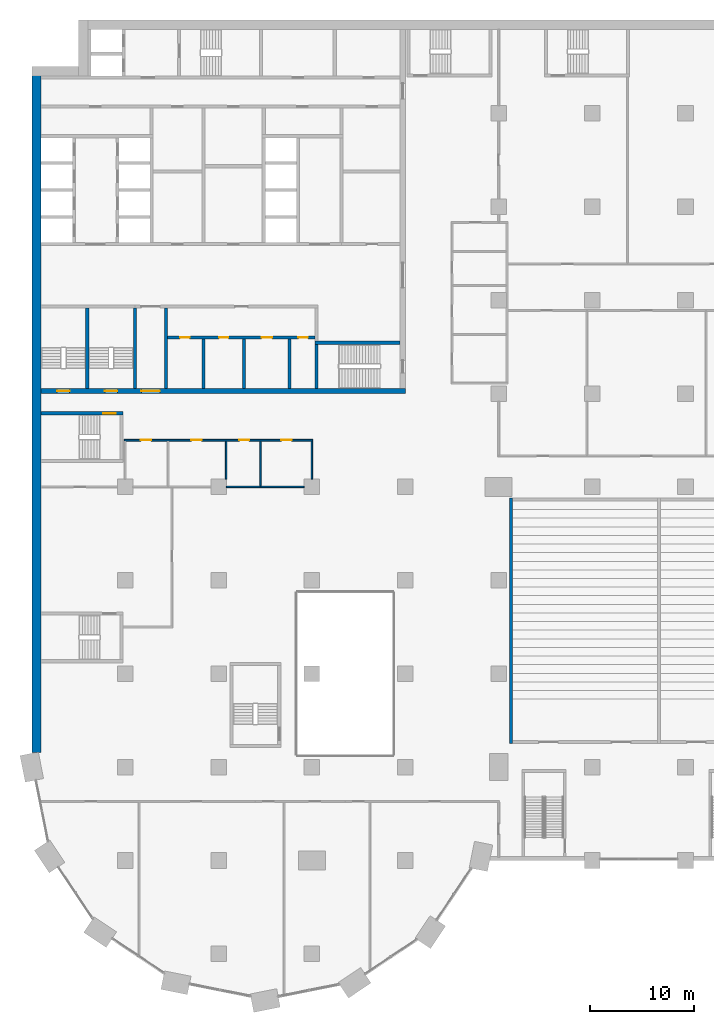
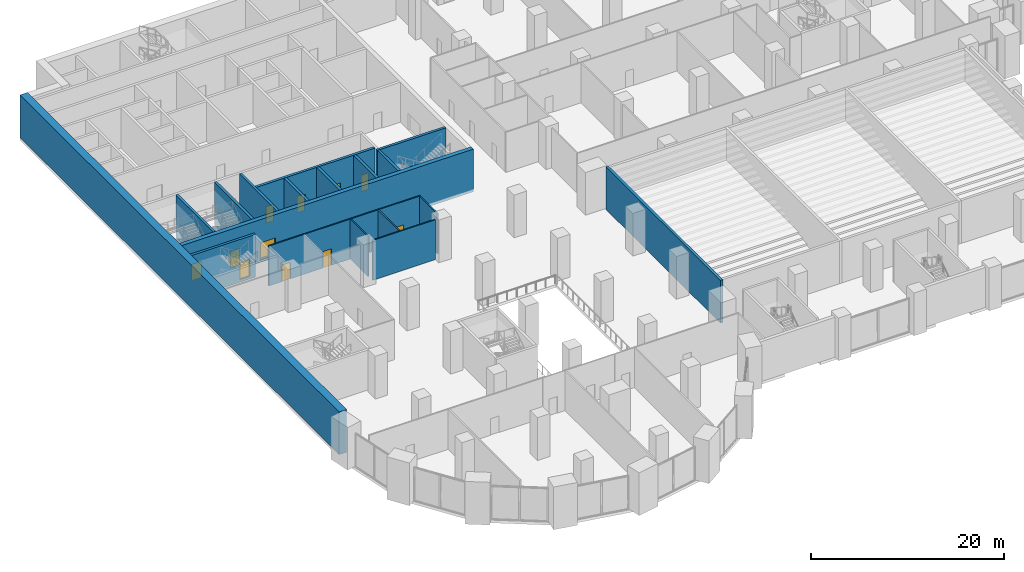
# One storey, part 16 of 44: 18 walls, 12 doors, 12 openings.
"""IFC4 building model written with IfcOpenShell, lengths in metres."""

from ifc_helpers import new_model, si_unit, direction, frame, frame_2d, origin, place, context, subcontext, project, spatial, rectangle, extrude, material, layer, layer_set, type_object, element, fill, save


model = new_model("IFC4")

# Units and contexts
model_context = context("Model", 3, precision=1e-05, world=origin(), true_north=direction((0.0, 1.0)))
body_context = subcontext(model_context, "Body", "Model", "MODEL_VIEW")
ifc_project = project(units=[si_unit("LENGTHUNIT", "METRE"), si_unit("AREAUNIT", "SQUARE_METRE"), si_unit("VOLUMEUNIT", "CUBIC_METRE"), si_unit("PLANEANGLEUNIT", "RADIAN"), si_unit("MASSUNIT", "GRAM", prefix="KILO")], contexts=[model_context])

# Site, building, storey
site_placement = place(None, origin())
site = spatial("IfcSite", under=ifc_project, at=site_placement, CompositionType="ELEMENT")
building_placement = place(site_placement, origin())
building = spatial("IfcBuilding", under=site, at=building_placement, Name="Hunhe Ridgeline Campus", CompositionType="ELEMENT")
storey_placement = place(building_placement, frame((0.0, 0.0, 6.0)))
storey = spatial("IfcBuildingStorey", under=building, at=storey_placement, Name="L01", CompositionType="ELEMENT", Elevation=6.0)

# Wall
ifc_material_1 = material(Name="Plastered blockwork", Category="masonry")
ifc_layer_1 = layer(ifc_material_1, 0.14990234375)
ifc_layer_set_1 = layer_set([ifc_layer_1], Name="Blockwork partition 150")
wall_type_1 = type_object("IfcWallType", Name="Blockwork partition 150", PredefinedType="PARTITIONING", material=ifc_layer_set_1)
wall_1_placement = place(storey_placement, frame((26.25, 54.0, 0.0), z_axis=(0.0, 0.0, 1.0), x_axis=(-1.0, 0.0, 0.0)))
element("IfcWall", 1, at=wall_1_placement, inside=storey, type_object=wall_type_1, Name="L01 partition", PredefinedType="PARTITIONING", context=body_context, shape_type="SweptSolid", body=[
    extrude(rectangle(XDim=7.5, YDim=0.14990234375, at=frame_2d((3.75, 0.0))), origin(), (0.0, 0.0, 1.0), 5.050048828125),
])

# Wall, openings, doors
wall_2_placement = place(storey_placement, frame((8.925048828125, 58.5, 0.0), z_axis=(0.0, 0.0, 1.0), x_axis=(1.0, 0.0, 0.0)))
wall_2 = element("IfcWall", 2, at=wall_2_placement, inside=storey, type_object=wall_type_1, Name="L01 partition", PredefinedType="PARTITIONING", context=body_context, shape_type="SweptSolid", body=[
    extrude(rectangle(XDim=18.14990234375, YDim=0.14990234375, at=frame_2d((9.074951171875, 0.0))), origin(), (0.0, 0.0, 1.0), 5.050048828125),
])
opening_1_placement = place(wall_2_placement, frame((1.574951171875, 0.0, 0.0)))
opening_1 = element("IfcOpeningElement", 3, at=opening_1_placement, cuts=wall_2, Name="Opening PD219", PredefinedType="OPENING", context=body_context, shape_type="SweptSolid", body=[
    extrude(rectangle(XDim=1.0, YDim=2.10009765625, at=frame_2d((0.5, 1.050048828125))), frame((0.0, 0.074951171875, 0.0), z_axis=(0.0, -1.0, 0.0), x_axis=(1.0, 0.0, 0.0)), (0.0, 0.0, 1.0), 0.14990234375),
])
opening_2_placement = place(wall_2_placement, frame((6.462890625, 0.0, 0.0)))
opening_2 = element("IfcOpeningElement", 4, at=opening_2_placement, cuts=wall_2, Name="Opening PD220", PredefinedType="OPENING", context=body_context, shape_type="SweptSolid", body=[
    extrude(rectangle(XDim=1.0, YDim=2.10009765625, at=frame_2d((0.5, 1.050048828125))), frame((0.0, 0.074951171875, 0.0), z_axis=(0.0, -1.0, 0.0), x_axis=(1.0, 0.0, 0.0)), (0.0, 0.0, 1.0), 0.14990234375),
])
opening_3_placement = place(wall_2_placement, frame((11.049072265625, 0.0, 0.0)))
opening_3 = element("IfcOpeningElement", 5, at=opening_3_placement, cuts=wall_2, Name="Opening PD221", PredefinedType="OPENING", context=body_context, shape_type="SweptSolid", body=[
    extrude(rectangle(XDim=1.0, YDim=2.10009765625, at=frame_2d((0.5, 1.050048828125))), frame((0.0, 0.074951171875, 0.0), z_axis=(0.0, -1.0, 0.0), x_axis=(1.0, 0.0, 0.0)), (0.0, 0.0, 1.0), 0.14990234375),
])
opening_4_placement = place(wall_2_placement, frame((15.10888671875, 0.0, 0.0)))
opening_4 = element("IfcOpeningElement", 6, at=opening_4_placement, cuts=wall_2, Name="Opening PD222", PredefinedType="OPENING", context=body_context, shape_type="SweptSolid", body=[
    extrude(rectangle(XDim=1.0, YDim=2.10009765625, at=frame_2d((0.5, 1.050048828125))), frame((0.0, 0.074951171875, 0.0), z_axis=(0.0, -1.0, 0.0), x_axis=(1.0, 0.0, 0.0)), (0.0, 0.0, 1.0), 0.14990234375),
])
ifc_material_2 = material(Name="Timber", Category="wood")
door_type_1 = type_object("IfcDoorType", Name="Podium timber door 1000x2100", OperationType="NOTDEFINED", PredefinedType="DOOR", material=ifc_material_2)
door_1_placement = place(opening_1_placement, origin())
door_1 = element("IfcDoor", 7, at=door_1_placement, inside=storey, type_object=door_type_1, Name="Faculty Office 1.05 door", OperationType="SINGLE_SWING_LEFT", OverallHeight=2.10009765625, OverallWidth=1.0, PredefinedType="DOOR", context=body_context, shape_type="SweptSolid", body=[
    extrude(rectangle(XDim=1.0, YDim=2.10009765625, at=frame_2d((0.5, 1.050048828125))), frame((0.0, 0.02490234375, 0.0), z_axis=(0.0, -1.0, 0.0), x_axis=(1.0, 0.0, 0.0)), (0.0, 0.0, 1.0), 0.050048828125),
])
fill(opening_1, door_1)
door_2_placement = place(opening_2_placement, origin())
door_2 = element("IfcDoor", 8, at=door_2_placement, inside=storey, type_object=door_type_1, Name="Faculty Office 1.06 door", OperationType="SINGLE_SWING_LEFT", OverallHeight=2.10009765625, OverallWidth=1.0, PredefinedType="DOOR", context=body_context, shape_type="SweptSolid", body=[
    extrude(rectangle(XDim=1.0, YDim=2.10009765625, at=frame_2d((0.5, 1.050048828125))), frame((0.0, 0.02490234375, 0.0), z_axis=(0.0, -1.0, 0.0), x_axis=(1.0, 0.0, 0.0)), (0.0, 0.0, 1.0), 0.050048828125),
])
fill(opening_2, door_2)
door_3_placement = place(opening_3_placement, origin())
door_3 = element("IfcDoor", 9, at=door_3_placement, inside=storey, type_object=door_type_1, Name="Faculty Office 1.07 door", OperationType="SINGLE_SWING_RIGHT", OverallHeight=2.10009765625, OverallWidth=1.0, PredefinedType="DOOR", context=body_context, shape_type="SweptSolid", body=[
    extrude(rectangle(XDim=1.0, YDim=2.10009765625, at=frame_2d((0.5, 1.050048828125))), frame((0.0, 0.02490234375, 0.0), z_axis=(0.0, -1.0, 0.0), x_axis=(1.0, 0.0, 0.0)), (0.0, 0.0, 1.0), 0.050048828125),
])
fill(opening_3, door_3)
door_4_placement = place(opening_4_placement, origin())
door_4 = element("IfcDoor", 10, at=door_4_placement, inside=storey, type_object=door_type_1, Name="Faculty Office 1.08 door", OperationType="SINGLE_SWING_RIGHT", OverallHeight=2.10009765625, OverallWidth=1.0, PredefinedType="DOOR", context=body_context, shape_type="SweptSolid", body=[
    extrude(rectangle(XDim=1.0, YDim=2.10009765625, at=frame_2d((0.5, 1.050048828125))), frame((0.0, 0.02490234375, 0.0), z_axis=(0.0, -1.0, 0.0), x_axis=(1.0, 0.0, 0.0)), (0.0, 0.0, 1.0), 0.050048828125),
])
fill(opening_4, door_4)

# Walls
wall_3_placement = place(storey_placement, frame((18.72412109375, 54.75, 0.0), z_axis=(0.0, 0.0, 1.0), x_axis=(0.0, 1.0, 0.0)))
element("IfcWall", 11, at=wall_3_placement, inside=storey, type_object=wall_type_1, Name="L01 partition", PredefinedType="PARTITIONING", context=body_context, shape_type="SweptSolid", body=[
    extrude(rectangle(XDim=3.675048828125, YDim=0.14990234375, at=frame_2d((1.83740234375, 0.0))), origin(), (0.0, 0.0, 1.0), 5.050048828125),
])
wall_4_placement = place(storey_placement, frame((22.033935546875, 54.074951171875, 0.0), z_axis=(0.0, 0.0, 1.0), x_axis=(0.0, 1.0, 0.0)))
element("IfcWall", 12, at=wall_4_placement, inside=storey, type_object=wall_type_1, Name="L01 partition", PredefinedType="PARTITIONING", context=body_context, shape_type="SweptSolid", body=[
    extrude(rectangle(XDim=4.35009765625, YDim=0.14990234375, at=frame_2d((2.175048828125, 0.0))), origin(), (0.0, 0.0, 1.0), 5.050048828125),
])
wall_5_placement = place(storey_placement, frame((27.0, 58.425048828125, 0.0), z_axis=(0.0, 0.0, 1.0), x_axis=(0.0, -1.0, 0.0)))
element("IfcWall", 13, at=wall_5_placement, inside=storey, type_object=wall_type_1, Name="L01 partition", PredefinedType="PARTITIONING", context=body_context, shape_type="SweptSolid", body=[
    extrude(rectangle(XDim=3.675048828125, YDim=0.14990234375, at=frame_2d((1.83740234375, 0.0))), origin(), (0.0, 0.0, 1.0), 5.050048828125),
])

# Wall, openings, doors
ifc_material_3 = material(Name="Masonry concrete blockwork", Category="masonry")
ifc_layer_2 = layer(ifc_material_3, 0.300048828125)
ifc_layer_set_2 = layer_set([ifc_layer_2], Name="Core room partition 300 concrete block")
wall_type_2 = type_object("IfcWallType", Name="Core room partition 300 concrete block", PredefinedType="PARTITIONING", material=ifc_layer_set_2)
wall_6_placement = place(storey_placement, frame((13.10009765625, 68.39990234375, 0.0), z_axis=(0.0, 0.0, 1.0), x_axis=(1.0, 0.0, 0.0)))
wall_6 = element("IfcWall", 14, at=wall_6_placement, inside=storey, type_object=wall_type_2, Name="L01 core partition 10", PredefinedType="PARTITIONING", context=body_context, shape_type="SweptSolid", body=[
    extrude(rectangle(XDim=14.199951171875, YDim=0.300048828125, at=frame_2d((7.10009765625, 0.0))), origin(), (0.0, 0.0, 1.0), 5.050048828125),
])
opening_5_placement = place(wall_6_placement, frame((1.199951171875, 0.0, 0.0)))
opening_5 = element("IfcOpeningElement", 15, at=opening_5_placement, cuts=wall_6, Name="Opening CD8", PredefinedType="OPENING", context=body_context, shape_type="SweptSolid", body=[
    extrude(rectangle(XDim=0.89990234375, YDim=2.10009765625, at=frame_2d((0.449951171875, 1.050048828125))), frame((0.0, 0.14990234375, 0.0), z_axis=(0.0, -1.0, 0.0), x_axis=(1.0, 0.0, 0.0)), (0.0, 0.0, 1.0), 0.300048828125),
])
opening_6_placement = place(wall_6_placement, frame((4.949951171875, 0.0, 0.0)))
opening_6 = element("IfcOpeningElement", 16, at=opening_6_placement, cuts=wall_6, Name="Opening CD9", PredefinedType="OPENING", context=body_context, shape_type="SweptSolid", body=[
    extrude(rectangle(XDim=0.89990234375, YDim=2.10009765625, at=frame_2d((0.449951171875, 1.050048828125))), frame((0.0, 0.14990234375, 0.0), z_axis=(0.0, -1.0, 0.0), x_axis=(1.0, 0.0, 0.0)), (0.0, 0.0, 1.0), 0.300048828125),
])
opening_7_placement = place(wall_6_placement, frame((9.050048828125, 0.0, 0.0)))
opening_7 = element("IfcOpeningElement", 17, at=opening_7_placement, cuts=wall_6, Name="Opening CD10", PredefinedType="OPENING", context=body_context, shape_type="SweptSolid", body=[
    extrude(rectangle(XDim=1.0, YDim=2.10009765625, at=frame_2d((0.5, 1.050048828125))), frame((0.0, 0.14990234375, 0.0), z_axis=(0.0, -1.0, 0.0), x_axis=(1.0, 0.0, 0.0)), (0.0, 0.0, 1.0), 0.300048828125),
])
opening_8_placement = place(wall_6_placement, frame((12.60009765625, 0.0, 0.0)))
opening_8 = element("IfcOpeningElement", 18, at=opening_8_placement, cuts=wall_6, Name="Opening CD11", PredefinedType="OPENING", context=body_context, shape_type="SweptSolid", body=[
    extrude(rectangle(XDim=0.89990234375, YDim=2.10009765625, at=frame_2d((0.449951171875, 1.050048828125))), frame((0.0, 0.14990234375, 0.0), z_axis=(0.0, -1.0, 0.0), x_axis=(1.0, 0.0, 0.0)), (0.0, 0.0, 1.0), 0.300048828125),
])
ifc_material_4 = material(Name="Solid core timber door leaf", Category="wood")
door_type_2 = type_object("IfcDoorType", Name="Timber door 1000x2100", OperationType="SINGLE_SWING_LEFT", PredefinedType="DOOR", material=ifc_material_4)
door_5_placement = place(opening_7_placement, frame((1.0, 0.0, 0.0), z_axis=(0.0, 0.0, 1.0), x_axis=(-1.0, 0.0, 0.0)))
door_5 = element("IfcDoor", 19, at=door_5_placement, inside=storey, type_object=door_type_2, Name="L01 door WC3", OperationType="SINGLE_SWING_RIGHT", OverallHeight=2.10009765625, OverallWidth=1.0, PredefinedType="DOOR", context=body_context, shape_type="SweptSolid", body=[
    extrude(rectangle(XDim=1.0, YDim=2.10009765625, at=frame_2d((0.5, 1.050048828125))), frame((0.0, 0.02490234375, 0.0), z_axis=(0.0, -1.0, 0.0), x_axis=(1.0, 0.0, 0.0)), (0.0, 0.0, 1.0), 0.050048828125),
])
fill(opening_7, door_5)
door_type_3 = type_object("IfcDoorType", Name="Timber door 900x2100", OperationType="SINGLE_SWING_LEFT", PredefinedType="DOOR", material=ifc_material_4)
door_6_placement = place(opening_5_placement, frame((0.89990234375, 0.0, 0.0), z_axis=(0.0, 0.0, 1.0), x_axis=(-1.0, 0.0, 0.0)))
door_6 = element("IfcDoor", 20, at=door_6_placement, inside=storey, type_object=door_type_3, Name="L01 door WC1", OperationType="SINGLE_SWING_RIGHT", OverallHeight=2.10009765625, OverallWidth=0.89990234375, PredefinedType="DOOR", context=body_context, shape_type="SweptSolid", body=[
    extrude(rectangle(XDim=0.89990234375, YDim=2.10009765625, at=frame_2d((0.449951171875, 1.050048828125))), frame((0.0, 0.02490234375, 0.0), z_axis=(0.0, -1.0, 0.0), x_axis=(1.0, 0.0, 0.0)), (0.0, 0.0, 1.0), 0.050048828125),
])
fill(opening_5, door_6)
door_7_placement = place(opening_6_placement, frame((0.89990234375, 0.0, 0.0), z_axis=(0.0, 0.0, 1.0), x_axis=(-1.0, 0.0, 0.0)))
door_7 = element("IfcDoor", 21, at=door_7_placement, inside=storey, type_object=door_type_3, Name="L01 door WC2", OperationType="SINGLE_SWING_LEFT", OverallHeight=2.10009765625, OverallWidth=0.89990234375, PredefinedType="DOOR", context=body_context, shape_type="SweptSolid", body=[
    extrude(rectangle(XDim=0.89990234375, YDim=2.10009765625, at=frame_2d((0.449951171875, 1.050048828125))), frame((0.0, 0.02490234375, 0.0), z_axis=(0.0, -1.0, 0.0), x_axis=(1.0, 0.0, 0.0)), (0.0, 0.0, 1.0), 0.050048828125),
])
fill(opening_6, door_7)
door_8_placement = place(opening_8_placement, frame((0.89990234375, 0.0, 0.0), z_axis=(0.0, 0.0, 1.0), x_axis=(-1.0, 0.0, 0.0)))
door_8 = element("IfcDoor", 22, at=door_8_placement, inside=storey, type_object=door_type_3, Name="L01 door WC4", OperationType="SINGLE_SWING_LEFT", OverallHeight=2.10009765625, OverallWidth=0.89990234375, PredefinedType="DOOR", context=body_context, shape_type="SweptSolid", body=[
    extrude(rectangle(XDim=0.89990234375, YDim=2.10009765625, at=frame_2d((0.449951171875, 1.050048828125))), frame((0.0, 0.02490234375, 0.0), z_axis=(0.0, -1.0, 0.0), x_axis=(1.0, 0.0, 0.0)), (0.0, 0.0, 1.0), 0.050048828125),
])
fill(opening_8, door_8)

# Walls
wall_7_placement = place(storey_placement, frame((12.949951171875, 63.5, 0.0), z_axis=(0.0, 0.0, 1.0), x_axis=(0.0, 1.0, 0.0)))
element("IfcWall", 23, at=wall_7_placement, inside=storey, type_object=wall_type_2, Name="L01 core partition 47", PredefinedType="PARTITIONING", context=body_context, shape_type="SweptSolid", body=[
    extrude(rectangle(XDim=7.75, YDim=0.300048828125, at=frame_2d((3.875, 0.0))), origin(), (0.0, 0.0, 1.0), 5.050048828125),
])
for number, where, z_axis, x_axis, name in (
    (24, (16.550048828125, 63.5, 0.0), (0.0, 0.0, 1.0), (0.0, 1.0, 0.0), "L01 core partition 49"),
    (25, (20.449951171875, 63.5, 0.0), (0.0, 0.0, 1.0), (0.0, 1.0, 0.0), "L01 core partition 52"),
    (26, (24.85009765625, 63.5, 0.0), (0.0, 0.0, 1.0), (0.0, 1.0, 0.0), "L01 core partition 57"),
):
    element("IfcWall", number, at=place(storey_placement, frame(where, z_axis=z_axis, x_axis=x_axis)), inside=storey, type_object=wall_type_2, Name=name, PredefinedType="PARTITIONING", context=body_context, shape_type="SweptSolid", body=[
        extrude(rectangle(XDim=4.75, YDim=0.300048828125, at=frame_2d((2.375, 0.0))), origin(), (0.0, 0.0, 1.0), 5.050048828125),
    ])

# Wall, openings, doors
ifc_material_5 = material(Name="Concrete C80", Category="concrete")
ifc_layer_3 = layer(ifc_material_5, 0.5)
ifc_layer_set_3 = layer_set([ifc_layer_3], Name="Core wall 500 reinforced concrete C80")
wall_type_3 = type_object("IfcWallType", Name="Core wall 500 reinforced concrete C80", PredefinedType="SOLIDWALL", material=ifc_layer_set_3)
wall_8_placement = place(storey_placement, frame((0.89990234375, 63.25, -0.35009765625), z_axis=(0.0, 0.0, 1.0), x_axis=(1.0, 0.0, 0.0)))
wall_8 = element("IfcWall", 27, at=wall_8_placement, inside=storey, type_object=wall_type_3, Name="L01 core wall 7", PredefinedType="SOLIDWALL", context=body_context, shape_type="SweptSolid", body=[
    extrude(rectangle(XDim=35.10009765625, YDim=0.5, at=frame_2d((17.550048828125, 0.0))), origin(), (0.0, 0.0, 1.0), 5.400146484375),
])
opening_9_placement = place(wall_8_placement, frame((9.64990234375, 0.0, 0.35009765625)))
opening_9 = element("IfcOpeningElement", 28, at=opening_9_placement, cuts=wall_8, Name="Opening CD6", PredefinedType="OPENING", context=body_context, shape_type="SweptSolid", body=[
    extrude(rectangle(XDim=1.800048828125, YDim=2.10009765625, at=frame_2d((0.89990234375, 1.050048828125))), frame((0.0, 0.25, 0.0), z_axis=(0.0, -1.0, 0.0), x_axis=(1.0, 0.0, 0.0)), (0.0, 0.0, 1.0), 0.5),
])
opening_10_placement = place(wall_8_placement, frame((1.550048828125, 0.0, 0.35009765625)))
opening_10 = element("IfcOpeningElement", 29, at=opening_10_placement, cuts=wall_8, Name="Opening CD13", PredefinedType="OPENING", context=body_context, shape_type="SweptSolid", body=[
    extrude(rectangle(XDim=1.199951171875, YDim=2.10009765625, at=frame_2d((0.60009765625, 1.050048828125))), frame((0.0, 0.25, 0.0), z_axis=(0.0, -1.0, 0.0), x_axis=(1.0, 0.0, 0.0)), (0.0, 0.0, 1.0), 0.5),
])
opening_11_placement = place(wall_8_placement, frame((6.14990234375, 0.0, 0.35009765625)))
opening_11 = element("IfcOpeningElement", 30, at=opening_11_placement, cuts=wall_8, Name="Opening CD14", PredefinedType="OPENING", context=body_context, shape_type="SweptSolid", body=[
    extrude(rectangle(XDim=1.199951171875, YDim=2.10009765625, at=frame_2d((0.60009765625, 1.050048828125))), frame((0.0, 0.25, 0.0), z_axis=(0.0, -1.0, 0.0), x_axis=(1.0, 0.0, 0.0)), (0.0, 0.0, 1.0), 0.5),
])
ifc_material_6 = material(Name="Anodised aluminium and glass", Category="aluminium")
door_type_4 = type_object("IfcDoorType", Name="Glazed double door 1800x2100", OperationType="DOUBLE_DOOR_SINGLE_SWING", PredefinedType="DOOR", material=ifc_material_6)
door_9_placement = place(opening_9_placement, frame((1.800048828125, 0.0, 0.0), z_axis=(0.0, 0.0, 1.0), x_axis=(-1.0, 0.0, 0.0)))
door_9 = element("IfcDoor", 31, at=door_9_placement, inside=storey, type_object=door_type_4, Name="L01 door VEST-FLOOR", OperationType="DOUBLE_DOOR_SINGLE_SWING", OverallHeight=2.10009765625, OverallWidth=1.800048828125, PredefinedType="DOOR", context=body_context, shape_type="SweptSolid", body=[
    extrude(rectangle(XDim=1.800048828125, YDim=2.10009765625, at=frame_2d((0.89990234375, 1.050048828125))), frame((0.0, 0.02490234375, 0.0), z_axis=(0.0, -1.0, 0.0), x_axis=(1.0, 0.0, 0.0)), (0.0, 0.0, 1.0), 0.050048828125),
])
fill(opening_9, door_9)
ifc_material_7 = material(Name="Hollow metal fire door leaf")
door_type_5 = type_object("IfcDoorType", Name="Stair door 1200x2100 FD60", OperationType="SINGLE_SWING_LEFT", PredefinedType="DOOR", material=ifc_material_7)
door_10_placement = place(opening_10_placement, frame((1.199951171875, 0.0, 0.0), z_axis=(0.0, 0.0, 1.0), x_axis=(-1.0, 0.0, 0.0)))
door_10 = element("IfcDoor", 32, at=door_10_placement, inside=storey, type_object=door_type_5, Name="L01 door S3", OperationType="SINGLE_SWING_RIGHT", OverallHeight=2.10009765625, OverallWidth=1.199951171875, PredefinedType="DOOR", context=body_context, shape_type="SweptSolid", body=[
    extrude(rectangle(XDim=1.199951171875, YDim=2.10009765625, at=frame_2d((0.60009765625, 1.050048828125))), frame((0.0, 0.02490234375, 0.0), z_axis=(0.0, -1.0, 0.0), x_axis=(1.0, 0.0, 0.0)), (0.0, 0.0, 1.0), 0.050048828125),
])
fill(opening_10, door_10)
door_11_placement = place(opening_11_placement, frame((1.199951171875, 0.0, 0.0), z_axis=(0.0, 0.0, 1.0), x_axis=(-1.0, 0.0, 0.0)))
door_11 = element("IfcDoor", 33, at=door_11_placement, inside=storey, type_object=door_type_5, Name="L01 door S4", OperationType="SINGLE_SWING_LEFT", OverallHeight=2.10009765625, OverallWidth=1.199951171875, PredefinedType="DOOR", context=body_context, shape_type="SweptSolid", body=[
    extrude(rectangle(XDim=1.199951171875, YDim=2.10009765625, at=frame_2d((0.60009765625, 1.050048828125))), frame((0.0, 0.02490234375, 0.0), z_axis=(0.0, -1.0, 0.0), x_axis=(1.0, 0.0, 0.0)), (0.0, 0.0, 1.0), 0.050048828125),
])
fill(opening_11, door_11)

# Walls
ifc_material_8 = material(Name="Concrete C40", Category="concrete")
ifc_layer_4 = layer(ifc_material_8, 0.300048828125)
ifc_layer_set_4 = layer_set([ifc_layer_4], Name="Lecture hall wall 300 C40")
wall_type_4 = type_object("IfcWallType", Name="Lecture hall wall 300 C40", PredefinedType="SOLIDWALL", material=ifc_layer_set_4)
wall_9_placement = place(storey_placement, frame((46.199951171875, 29.25, 0.0), z_axis=(0.0, 0.0, 1.0), x_axis=(0.0, 1.0, 0.0)))
element("IfcWall", 34, at=wall_9_placement, inside=storey, type_object=wall_type_4, Name="L01 lecture hall wall", PredefinedType="SOLIDWALL", context=body_context, shape_type="SweptSolid", body=[
    extrude(rectangle(XDim=23.699951171875, YDim=0.300048828125, at=frame_2d((11.85009765625, 0.0))), origin(), (0.0, 0.0, 1.0), 5.39990234375),
])
ifc_layer_5 = layer(ifc_material_5, 0.89990234375)
ifc_layer_set_5 = layer_set([ifc_layer_5], Name="Spine wall 900 Concrete C80")
wall_type_5 = type_object("IfcWallType", Name="Spine wall 900 Concrete C80", PredefinedType="SHEAR", material=ifc_layer_set_5)
wall_10_placement = place(storey_placement, frame((0.449951171875, 94.5, 0.0), z_axis=(0.0, 0.0, 1.0), x_axis=(0.0, -1.0, 0.0)))
element("IfcWall", 35, at=wall_10_placement, inside=storey, type_object=wall_type_5, Name="Spine wall SW1-1 L01", PredefinedType="SHEAR", context=body_context, shape_type="SweptSolid", body=[
    extrude(rectangle(XDim=66.0849609375, YDim=0.89990234375, at=frame_2d((33.04248046875, 0.0))), origin(), (0.0, 0.0, 1.0), 5.39990234375),
])

# Wall, opening, door
ifc_layer_6 = layer(ifc_material_5, 0.300048828125)
ifc_layer_set_6 = layer_set([ifc_layer_6], Name="Stair wall 300 reinforced concrete C80")
wall_type_6 = type_object("IfcWallType", Name="Stair wall 300 reinforced concrete C80", PredefinedType="SOLIDWALL", material=ifc_layer_set_6)
wall_11_placement = place(storey_placement, frame((0.89990234375, 61.10009765625, -0.35009765625), z_axis=(0.0, 0.0, 1.0), x_axis=(1.0, 0.0, 0.0)))
wall_11 = element("IfcWall", 36, at=wall_11_placement, inside=storey, type_object=wall_type_6, Name="L01 core wall 6", PredefinedType="SOLIDWALL", context=body_context, shape_type="SweptSolid", body=[
    extrude(rectangle(XDim=7.900146484375, YDim=0.300048828125, at=frame_2d((3.9501953125, 0.0))), origin(), (0.0, 0.0, 1.0), 5.400146484375),
])
opening_12_placement = place(wall_11_placement, frame((6.0, 0.0, 0.35009765625)))
opening_12 = element("IfcOpeningElement", 37, at=opening_12_placement, cuts=wall_11, Name="Opening CD22", PredefinedType="OPENING", context=body_context, shape_type="SweptSolid", body=[
    extrude(rectangle(XDim=1.199951171875, YDim=2.10009765625, at=frame_2d((0.60009765625, 1.050048828125))), frame((0.0, 0.14990234375, 0.0), z_axis=(0.0, -1.0, 0.0), x_axis=(1.0, 0.0, 0.0)), (0.0, 0.0, 1.0), 0.300048828125),
])
door_12_placement = place(opening_12_placement, origin())
door_12 = element("IfcDoor", 38, at=door_12_placement, inside=storey, type_object=door_type_5, Name="L01 door W2", OperationType="SINGLE_SWING_RIGHT", OverallHeight=2.10009765625, OverallWidth=1.199951171875, PredefinedType="DOOR", context=body_context, shape_type="SweptSolid", body=[
    extrude(rectangle(XDim=1.199951171875, YDim=2.10009765625, at=frame_2d((0.60009765625, 1.050048828125))), frame((0.0, 0.02490234375, 0.0), z_axis=(0.0, -1.0, 0.0), x_axis=(1.0, 0.0, 0.0)), (0.0, 0.0, 1.0), 0.050048828125),
])
fill(opening_12, door_12)

# Walls
wall_12_placement = place(storey_placement, frame((27.300048828125, 67.89990234375, -0.35009765625), z_axis=(0.0, 0.0, 1.0), x_axis=(1.0, 0.0, 0.0)))
element("IfcWall", 39, at=wall_12_placement, inside=storey, type_object=wall_type_6, Name="L01 core wall 9", PredefinedType="SOLIDWALL", context=body_context, shape_type="SweptSolid", body=[
    extrude(rectangle(XDim=8.199951171875, YDim=0.300048828125, at=frame_2d((4.10009765625, 0.0))), origin(), (0.0, 0.0, 1.0), 5.400146484375),
])
for number, where, z_axis, x_axis, name in (
    (40, (5.35009765625, 63.5, -0.35009765625), (0.0, 0.0, 1.0), (0.0, 1.0, 0.0), "L01 core wall 38"),
    (41, (9.949951171875, 63.5, -0.35009765625), (0.0, 0.0, 1.0), (0.0, 1.0, 0.0), "L01 core wall 44"),
):
    element("IfcWall", number, at=place(storey_placement, frame(where, z_axis=z_axis, x_axis=x_axis)), inside=storey, type_object=wall_type_6, Name=name, PredefinedType="SOLIDWALL", context=body_context, shape_type="SweptSolid", body=[
        extrude(rectangle(XDim=7.75, YDim=0.300048828125, at=frame_2d((3.875, 0.0))), origin(), (0.0, 0.0, 1.0), 5.400146484375),
    ])
wall_13_placement = place(storey_placement, frame((27.449951171875, 63.5, -0.35009765625), z_axis=(0.0, 0.0, 1.0), x_axis=(0.0, 1.0, 0.0)))
element("IfcWall", 42, at=wall_13_placement, inside=storey, type_object=wall_type_6, Name="L01 core wall 59", PredefinedType="SOLIDWALL", context=body_context, shape_type="SweptSolid", body=[
    extrude(rectangle(XDim=4.25, YDim=0.300048828125, at=frame_2d((2.125, 0.0))), origin(), (0.0, 0.0, 1.0), 5.400146484375),
])

save(model, "model.ifc")
